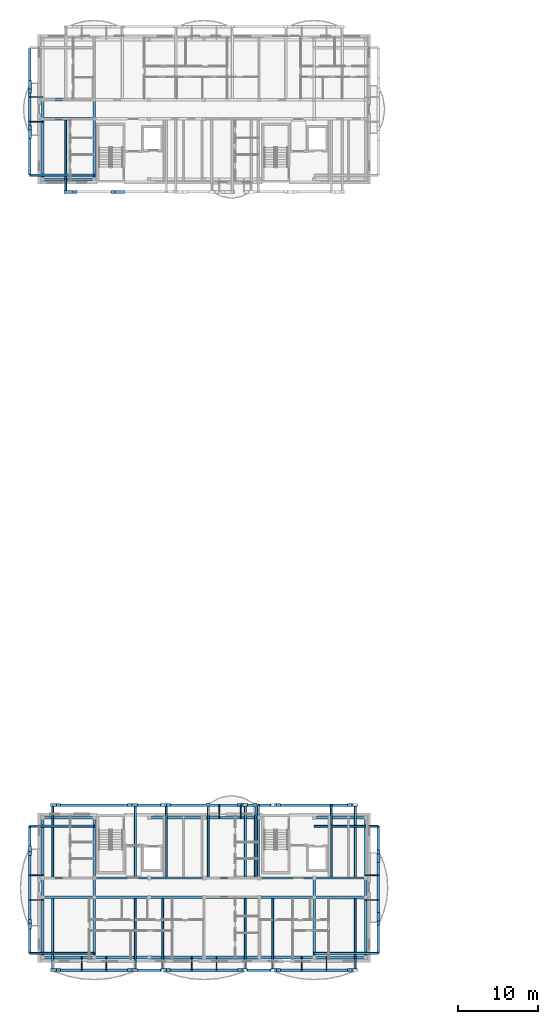
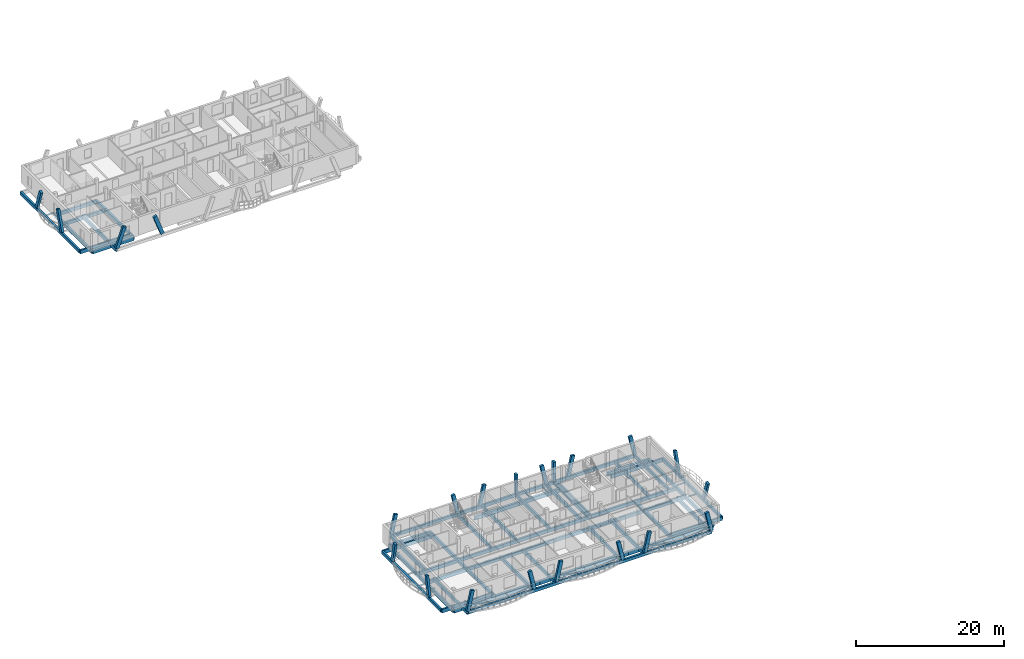
# One storey, part 3 of 21: 80 beams, 22 members.
"""IFC4 building model written with IfcOpenShell, lengths in metres."""

import ifcopenshell
import ifcopenshell.guid

model = None  # the IFC model being written
_history = None  # IfcOwnerHistory: only IFC2X3 demands one
_inside = {}  # id of a spatial element -> (the spatial element, [elements in it])
_under = {}  # id of a project, library or spatial element -> (it, [spatial elements below it])
_declared = {}  # id of a project -> (the project, [libraries it declares])
_typed = {}  # id of a type object -> (the type object, [elements of that type])
_made_of = {}  # id of a material, layer set ... -> (it, [elements and type objects made of it])


def new_model(schema):
    """Start an empty IFC model of exactly this schema.

    Asked for "IFC4X3", IfcOpenShell would pick the latest addendum, in which some entities
    have other attributes; the version numbers below select the first issue.
    IFC2X3 requires an IfcOwnerHistory on every rooted entity: one is made here for all.
    """
    global model, _history
    if schema == "IFC4X3":
        model = ifcopenshell.file(schema_version=(4, 3, 0, 0))
    else:
        model = ifcopenshell.file(schema=schema)
    _inside.clear()
    _under.clear()
    _declared.clear()
    _typed.clear()
    _made_of.clear()
    _history = None
    if model.schema == "IFC2X3":
        org = make("IfcOrganization", Name="unknown")
        user = make(
            "IfcPersonAndOrganization",
            ThePerson=make("IfcPerson", FamilyName="unknown"),
            TheOrganization=org,
        )
        app = make(
            "IfcApplication",
            ApplicationDeveloper=org,
            Version="unknown",
            ApplicationFullName="unknown",
            ApplicationIdentifier="unknown",
        )
        _history = make(
            "IfcOwnerHistory",
            OwningUser=user,
            OwningApplication=app,
            ChangeAction="ADDED",
            CreationDate=0,
        )
    return model


def make(cls, **values):
    """One entity of the class cls with the attributes given. An attribute that is None is left unset."""
    return model.create_entity(
        cls, **{name: value for name, value in values.items() if value is not None}
    )


def rooted(cls, **values):
    """An entity with a GlobalId (a new one), such as an element, a storey or a relation."""
    return make(cls, GlobalId=ifcopenshell.guid.new(), OwnerHistory=_history, **values)


def si_unit(unit_type, name, prefix=None):
    """IfcSIUnit, for example si_unit("LENGTHUNIT", "METRE", prefix="MILLI")."""
    return make("IfcSIUnit", UnitType=unit_type, Prefix=prefix, Name=name)


def assignment(units):
    """IfcUnitAssignment: the units of a project."""
    return None if units is None else make("IfcUnitAssignment", Units=units)


def point(xyz):
    """IfcCartesianPoint."""
    return None if xyz is None else make("IfcCartesianPoint", Coordinates=xyz)


def direction(xyz):
    """IfcDirection."""
    return None if xyz is None else make("IfcDirection", DirectionRatios=xyz)


def frame(location, z_axis=None, x_axis=None):
    """IfcAxis2Placement3D, a coordinate frame: its origin and axes. An axis left out is left unset."""
    return make(
        "IfcAxis2Placement3D",
        Location=point(location),
        Axis=direction(z_axis),
        RefDirection=direction(x_axis),
    )


def frame_2d(location, x_axis=None):
    """IfcAxis2Placement2D, a coordinate frame in the plane: its origin and x axis."""
    return make(
        "IfcAxis2Placement2D", Location=point(location), RefDirection=direction(x_axis)
    )


def origin():
    """The frame at (0, 0, 0) with its axes left unset."""
    return frame((0.0, 0.0, 0.0))


def origin_2d():
    """The frame at (0, 0) in the plane with its x axis left unset."""
    return frame_2d((0.0, 0.0))


def place(relative_to, where):
    """IfcLocalPlacement: puts the frame where relative to a parent placement (None: the world)."""
    return make(
        "IfcLocalPlacement", PlacementRelTo=relative_to, RelativePlacement=where
    )


def context(
    kind, dimensions, precision=None, world=None, true_north=None, identifier=None
):
    """IfcGeometricRepresentationContext, for example the 3D "Model" context."""
    return make(
        "IfcGeometricRepresentationContext",
        ContextIdentifier=identifier,
        ContextType=kind,
        CoordinateSpaceDimension=dimensions,
        Precision=precision,
        WorldCoordinateSystem=world,
        TrueNorth=true_north,
    )


def subcontext(parent, identifier, kind, view, scale=None):
    """IfcGeometricRepresentationSubContext, for example "Body" below "Model"."""
    return make(
        "IfcGeometricRepresentationSubContext",
        ContextIdentifier=identifier,
        ContextType=kind,
        ParentContext=parent,
        TargetScale=scale,
        TargetView=view,
    )


def project(units=None, contexts=None):
    """IfcProject with its units and contexts."""
    return rooted(
        "IfcProject",
        Name="project",
        RepresentationContexts=contexts,
        UnitsInContext=assignment(units),
    )


def spatial(cls, under=None, at=None, **own):
    """A site, building, storey or space (cls), placed at a placement, below another one or the project."""
    s = rooted(cls, ObjectPlacement=at, **own)
    if under is not None:
        _under.setdefault(under.id(), (under, []))[1].append(s)
    return s


def profile(cls, at=None, kind="AREA", **sizes):
    """A parametric profile (cls). Its sizes go by their IFC names, for example OverallWidth=200.0."""
    return make(cls, ProfileType=kind, Position=at, **sizes)


def rectangle(**sizes):
    """IfcRectangleProfileDef."""
    return profile("IfcRectangleProfileDef", **sizes)


def i_section(**sizes):
    """IfcIShapeProfileDef."""
    return profile("IfcIShapeProfileDef", **sizes)


def extrude(swept, where, along, depth):
    """IfcExtrudedAreaSolid: the profile swept, set in the frame where, extruded along a direction by depth."""
    return make(
        "IfcExtrudedAreaSolid",
        SweptArea=swept,
        Position=where,
        ExtrudedDirection=direction(along),
        Depth=depth,
    )


def shape(context_of_items, identifier, shape_type, items):
    """IfcShapeRepresentation: the items that make up one representation, for example the "Body"."""
    return make(
        "IfcShapeRepresentation",
        ContextOfItems=context_of_items,
        RepresentationIdentifier=identifier,
        RepresentationType=shape_type,
        Items=items,
    )


def material(Name=None, Category=None):
    """IfcMaterial."""
    return make("IfcMaterial", Name=Name, Category=Category)


def material_profile(
    of_material, cross_section, Name=None, Category=None, Priority=None
):
    """IfcMaterialProfile: a cross section and its material."""
    return make(
        "IfcMaterialProfile",
        Name=Name,
        Material=of_material,
        Profile=cross_section,
        Priority=Priority,
        Category=Category,
    )


def profile_set(profiles, Name=None, composite=None):
    """IfcMaterialProfileSet."""
    return make(
        "IfcMaterialProfileSet",
        Name=Name,
        MaterialProfiles=profiles,
        CompositeProfile=composite,
    )


def made_of(thing, what):
    """Note that an element or type object is made of a material, layer set ...; save() writes the relation."""
    if what is not None:
        _made_of.setdefault(what.id(), (what, []))[1].append(thing)
    return thing


def type_object(cls, material=None, **own):
    """A type object (cls), such as IfcWallType, which elements share."""
    return made_of(rooted(cls, **own), material)


def element(
    cls,
    number,
    at=None,
    inside=None,
    cuts=None,
    type_object=None,
    material=None,
    context=None,
    identifier="Body",
    shape_type=None,
    held_by="IfcProductDefinitionShape",
    body=None,
    shapes=None,
    **own,
):
    """One element of the class cls, such as IfcWall. Its Tag is "e" and its number.

    at: its placement. inside: the storey or other place that contains it. cuts: it is an
    opening in that element (IfcRelVoidsElement). A single representation is given by context,
    identifier, shape_type and body (its items); several are given by shapes. held_by: the class
    of the entity that holds the representations. save() writes the other relations.
    """
    e = rooted(cls, Tag="e%d" % number, ObjectPlacement=at, **own)
    if body is not None:
        shapes = [shape(context, identifier, shape_type, body)]
    if shapes is not None:
        e.Representation = make(held_by, Representations=shapes)
    if inside is not None:
        _inside.setdefault(inside.id(), (inside, []))[1].append(e)
    if cuts is not None:
        rooted(
            "IfcRelVoidsElement", RelatingBuildingElement=cuts, RelatedOpeningElement=e
        )
    if type_object is not None:
        _typed.setdefault(type_object.id(), (type_object, []))[1].append(e)
    return made_of(e, material)


def aggregate(whole, parts):
    """IfcRelAggregates: a whole, such as a stair, and the parts it consists of."""
    return rooted("IfcRelAggregates", RelatingObject=whole, RelatedObjects=parts)


def save(model, path):
    """Write the relations noted so far, then the file.

    IfcRelAggregates (storeys below a building ...), IfcRelContainedInSpatialStructure (elements
    in a storey), IfcRelDefinesByType, IfcRelAssociatesMaterial and IfcRelDeclares: one each for
    every whole, place, type object, material and project.
    """
    for whole, parts in _under.values():
        aggregate(whole, parts)
    for where, things in _inside.values():
        rooted(
            "IfcRelContainedInSpatialStructure",
            RelatedElements=things,
            RelatingStructure=where,
        )
    for kind, things in _typed.values():
        rooted("IfcRelDefinesByType", RelatedObjects=things, RelatingType=kind)
    for what, things in _made_of.values():
        rooted("IfcRelAssociatesMaterial", RelatedObjects=things, RelatingMaterial=what)
    for by, libraries in _declared.values():
        rooted("IfcRelDeclares", RelatingContext=by, RelatedDefinitions=libraries)
    model.write(path)


model = new_model("IFC4")

# Units and contexts
model_context = context("Model", 3, precision=1e-05, world=origin(), true_north=direction((0.0, 1.0)))
body_context = subcontext(model_context, "Body", "Model", "MODEL_VIEW")
ifc_project = project(units=[si_unit("LENGTHUNIT", "METRE"), si_unit("AREAUNIT", "SQUARE_METRE"), si_unit("VOLUMEUNIT", "CUBIC_METRE"), si_unit("PLANEANGLEUNIT", "RADIAN"), si_unit("MASSUNIT", "GRAM", prefix="KILO")], contexts=[model_context])

# Site, building, storey
site_placement = place(None, origin())
site = spatial("IfcSite", under=ifc_project, at=site_placement, CompositionType="ELEMENT")
building_placement = place(site_placement, origin())
building = spatial("IfcBuilding", under=site, at=building_placement, Name="Zavelmont Quarter", CompositionType="ELEMENT")
storey_placement = place(building_placement, frame((0.0, 0.0, 36.800048828125)))
storey = spatial("IfcBuildingStorey", under=building, at=storey_placement, Name="L11", CompositionType="ELEMENT", Elevation=36.800048828125)

# Beams
ifc_material_1 = material(Name="Concrete C35/45", Category="concrete")
ifc_material_profile_1 = material_profile(ifc_material_1, rectangle(XDim=0.35009765625, YDim=0.60009765625, at=origin_2d()), Name="RC350X600")
ifc_profile_set_1 = profile_set([ifc_material_profile_1], Name="Concrete C35/45")
beam_type_1 = type_object("IfcBeamType", Name="BM01", PredefinedType="SPANDREL", material=ifc_profile_set_1)
beam_1_placement = place(storey_placement, frame((0.43994140625, 0.43994140625, -0.5400390625), z_axis=(1.0, 0.0, 0.0), x_axis=(0.0, 1.0, 0.0)))
element("IfcBeam", 1, at=beam_1_placement, inside=storey, type_object=beam_type_1, Name="L11 beam BM01 1/A to 2/A", PredefinedType="SPANDREL", context=body_context, shape_type="SweptSolid", body=[
    extrude(rectangle(XDim=0.35009765625, YDim=0.60009765625, at=origin_2d()), origin(), (0.0, 0.0, 1.0), 6.4599609375),
])
beam_2_placement = place(storey_placement, frame((6.89990234375, 0.43994140625, -0.5400390625), z_axis=(1.0, 0.0, 0.0), x_axis=(0.0, 1.0, 0.0)))
element("IfcBeam", 2, at=beam_2_placement, inside=storey, type_object=beam_type_1, Name="L11 beam BM01 2/A to 3/A", PredefinedType="SPANDREL", context=body_context, shape_type="SweptSolid", body=[
    extrude(rectangle(XDim=0.35009765625, YDim=0.60009765625, at=origin_2d()), origin(), (0.0, 0.0, 1.0), 6.900146484375),
])
beam_3_placement = place(storey_placement, frame((13.800048828125, 0.43994140625, -0.5400390625), z_axis=(1.0, 0.0, 0.0), x_axis=(0.0, 1.0, 0.0)))
element("IfcBeam", 3, at=beam_3_placement, inside=storey, type_object=beam_type_1, Name="L11 beam BM01 3/A to 4/A", PredefinedType="SPANDREL", context=body_context, shape_type="SweptSolid", body=[
    extrude(rectangle(XDim=0.35009765625, YDim=0.60009765625, at=origin_2d()), origin(), (0.0, 0.0, 1.0), 6.89990234375),
])
beam_4_placement = place(storey_placement, frame((20.699951171875, 0.43994140625, -0.5400390625), z_axis=(1.0, 0.0, 0.0), x_axis=(0.0, 1.0, 0.0)))
element("IfcBeam", 4, at=beam_4_placement, inside=storey, type_object=beam_type_1, Name="L11 beam BM01 4/A to 5/A", PredefinedType="SPANDREL", context=body_context, shape_type="SweptSolid", body=[
    extrude(rectangle(XDim=0.35009765625, YDim=0.60009765625, at=origin_2d()), origin(), (0.0, 0.0, 1.0), 6.900146484375),
])
beam_5_placement = place(storey_placement, frame((27.60009765625, 0.43994140625, -0.5400390625), z_axis=(1.0, 0.0, 0.0), x_axis=(0.0, 1.0, 0.0)))
element("IfcBeam", 5, at=beam_5_placement, inside=storey, type_object=beam_type_1, Name="L11 beam BM01 5/A to 6/A", PredefinedType="SPANDREL", context=body_context, shape_type="SweptSolid", body=[
    extrude(rectangle(XDim=0.35009765625, YDim=0.60009765625, at=origin_2d()), origin(), (0.0, 0.0, 1.0), 6.89990234375),
])
for number, where, z_axis, x_axis, name in (
    (6, (34.5, 0.43994140625, -0.5400390625), (1.0, 0.0, 0.0), (0.0, 1.0, 0.0), "L11 beam BM01 6/A to 7/A"),
    (7, (0.43994140625, 17.9599609375, -0.5400390625), (1.0, 0.0, 0.0), (0.0, 1.0, 0.0), "L11 beam BM01 1/D to 2/D"),
):
    element("IfcBeam", number, at=place(storey_placement, frame(where, z_axis=z_axis, x_axis=x_axis)), inside=storey, type_object=beam_type_1, Name=name, PredefinedType="SPANDREL", context=body_context, shape_type="SweptSolid", body=[
        extrude(rectangle(XDim=0.35009765625, YDim=0.60009765625, at=origin_2d()), origin(), (0.0, 0.0, 1.0), 6.4599609375),
    ])
beam_6_placement = place(storey_placement, frame((13.800048828125, 17.9599609375, -0.5400390625), z_axis=(1.0, 0.0, 0.0), x_axis=(0.0, 1.0, 0.0)))
element("IfcBeam", 8, at=beam_6_placement, inside=storey, type_object=beam_type_1, Name="L11 beam BM01 3/D to 4/D", PredefinedType="SPANDREL", context=body_context, shape_type="SweptSolid", body=[
    extrude(rectangle(XDim=0.35009765625, YDim=0.60009765625, at=origin_2d()), origin(), (0.0, 0.0, 1.0), 6.89990234375),
])
beam_7_placement = place(storey_placement, frame((20.699951171875, 17.9599609375, -0.5400390625), z_axis=(1.0, 0.0, 0.0), x_axis=(0.0, 1.0, 0.0)))
element("IfcBeam", 9, at=beam_7_placement, inside=storey, type_object=beam_type_1, Name="L11 beam BM01 4/D to 5/D", PredefinedType="SPANDREL", context=body_context, shape_type="SweptSolid", body=[
    extrude(rectangle(XDim=0.35009765625, YDim=0.60009765625, at=origin_2d()), origin(), (0.0, 0.0, 1.0), 6.900146484375),
])
for number, where, z_axis, x_axis, name in (
    (10, (34.5, 17.9599609375, -0.5400390625), (1.0, 0.0, 0.0), (0.0, 1.0, 0.0), "L11 beam BM01 6/D to 7/D"),
    (11, (0.43994140625, 98.0400390625, -0.5400390625), (1.0, 0.0, 0.0), (0.0, 1.0, 0.0), "L11 beam BM01 1/P to 2/P"),
):
    element("IfcBeam", number, at=place(storey_placement, frame(where, z_axis=z_axis, x_axis=x_axis)), inside=storey, type_object=beam_type_1, Name=name, PredefinedType="SPANDREL", context=body_context, shape_type="SweptSolid", body=[
        extrude(rectangle(XDim=0.35009765625, YDim=0.60009765625, at=origin_2d()), origin(), (0.0, 0.0, 1.0), 6.4599609375),
    ])
ifc_material_profile_2 = material_profile(ifc_material_1, rectangle(XDim=0.300048828125, YDim=0.550048828125, at=origin_2d()), Name="RC300X550")
ifc_profile_set_2 = profile_set([ifc_material_profile_2], Name="Concrete C35/45")
beam_type_2 = type_object("IfcBeamType", Name="BM02", PredefinedType="SPANDREL", material=ifc_profile_set_2)
beam_8_placement = place(storey_placement, frame((0.43994140625, 8.0, -0.51513671875), z_axis=(1.0, 0.0, 0.0), x_axis=(0.0, 1.0, 0.0)))
element("IfcBeam", 12, at=beam_8_placement, inside=storey, type_object=beam_type_2, Name="L11 beam BM02 1/B to 2/B", PredefinedType="SPANDREL", context=body_context, shape_type="SweptSolid", body=[
    extrude(rectangle(XDim=0.300048828125, YDim=0.550048828125, at=origin_2d()), origin(), (0.0, 0.0, 1.0), 6.4599609375),
])
beam_9_placement = place(storey_placement, frame((6.89990234375, 8.0, -0.51513671875), z_axis=(1.0, 0.0, 0.0), x_axis=(0.0, 1.0, 0.0)))
element("IfcBeam", 13, at=beam_9_placement, inside=storey, type_object=beam_type_2, Name="L11 beam BM02 2/B to 3/B", PredefinedType="SPANDREL", context=body_context, shape_type="SweptSolid", body=[
    extrude(rectangle(XDim=0.300048828125, YDim=0.550048828125, at=origin_2d()), origin(), (0.0, 0.0, 1.0), 6.900146484375),
])
beam_10_placement = place(storey_placement, frame((13.800048828125, 8.0, -0.51513671875), z_axis=(1.0, 0.0, 0.0), x_axis=(0.0, 1.0, 0.0)))
element("IfcBeam", 14, at=beam_10_placement, inside=storey, type_object=beam_type_2, Name="L11 beam BM02 3/B to 4/B", PredefinedType="SPANDREL", context=body_context, shape_type="SweptSolid", body=[
    extrude(rectangle(XDim=0.300048828125, YDim=0.550048828125, at=origin_2d()), origin(), (0.0, 0.0, 1.0), 6.89990234375),
])
beam_11_placement = place(storey_placement, frame((20.699951171875, 8.0, -0.51513671875), z_axis=(1.0, 0.0, 0.0), x_axis=(0.0, 1.0, 0.0)))
element("IfcBeam", 15, at=beam_11_placement, inside=storey, type_object=beam_type_2, Name="L11 beam BM02 4/B to 5/B", PredefinedType="SPANDREL", context=body_context, shape_type="SweptSolid", body=[
    extrude(rectangle(XDim=0.300048828125, YDim=0.550048828125, at=origin_2d()), origin(), (0.0, 0.0, 1.0), 6.900146484375),
])
beam_12_placement = place(storey_placement, frame((27.60009765625, 8.0, -0.51513671875), z_axis=(1.0, 0.0, 0.0), x_axis=(0.0, 1.0, 0.0)))
element("IfcBeam", 16, at=beam_12_placement, inside=storey, type_object=beam_type_2, Name="L11 beam BM02 5/B to 6/B", PredefinedType="SPANDREL", context=body_context, shape_type="SweptSolid", body=[
    extrude(rectangle(XDim=0.300048828125, YDim=0.550048828125, at=origin_2d()), origin(), (0.0, 0.0, 1.0), 6.89990234375),
])
for number, where, z_axis, x_axis, name in (
    (17, (34.5, 8.0, -0.51513671875), (1.0, 0.0, 0.0), (0.0, 1.0, 0.0), "L11 beam BM02 6/B to 7/B"),
    (18, (0.43994140625, 10.39990234375, -0.51513671875), (1.0, 0.0, 0.0), (0.0, 1.0, 0.0), "L11 beam BM02 1/C to 2/C"),
):
    element("IfcBeam", number, at=place(storey_placement, frame(where, z_axis=z_axis, x_axis=x_axis)), inside=storey, type_object=beam_type_2, Name=name, PredefinedType="SPANDREL", context=body_context, shape_type="SweptSolid", body=[
        extrude(rectangle(XDim=0.300048828125, YDim=0.550048828125, at=origin_2d()), origin(), (0.0, 0.0, 1.0), 6.4599609375),
    ])
beam_13_placement = place(storey_placement, frame((6.89990234375, 10.39990234375, -0.51513671875), z_axis=(1.0, 0.0, 0.0), x_axis=(0.0, 1.0, 0.0)))
element("IfcBeam", 19, at=beam_13_placement, inside=storey, type_object=beam_type_2, Name="L11 beam BM02 2/C to 3/C", PredefinedType="SPANDREL", context=body_context, shape_type="SweptSolid", body=[
    extrude(rectangle(XDim=0.300048828125, YDim=0.550048828125, at=origin_2d()), origin(), (0.0, 0.0, 1.0), 6.900146484375),
])
beam_14_placement = place(storey_placement, frame((13.800048828125, 10.39990234375, -0.51513671875), z_axis=(1.0, 0.0, 0.0), x_axis=(0.0, 1.0, 0.0)))
element("IfcBeam", 20, at=beam_14_placement, inside=storey, type_object=beam_type_2, Name="L11 beam BM02 3/C to 4/C", PredefinedType="SPANDREL", context=body_context, shape_type="SweptSolid", body=[
    extrude(rectangle(XDim=0.300048828125, YDim=0.550048828125, at=origin_2d()), origin(), (0.0, 0.0, 1.0), 6.89990234375),
])
beam_15_placement = place(storey_placement, frame((20.699951171875, 10.39990234375, -0.51513671875), z_axis=(1.0, 0.0, 0.0), x_axis=(0.0, 1.0, 0.0)))
element("IfcBeam", 21, at=beam_15_placement, inside=storey, type_object=beam_type_2, Name="L11 beam BM02 4/C to 5/C", PredefinedType="SPANDREL", context=body_context, shape_type="SweptSolid", body=[
    extrude(rectangle(XDim=0.300048828125, YDim=0.550048828125, at=origin_2d()), origin(), (0.0, 0.0, 1.0), 6.900146484375),
])
beam_16_placement = place(storey_placement, frame((27.60009765625, 10.39990234375, -0.51513671875), z_axis=(1.0, 0.0, 0.0), x_axis=(0.0, 1.0, 0.0)))
element("IfcBeam", 22, at=beam_16_placement, inside=storey, type_object=beam_type_2, Name="L11 beam BM02 5/C to 6/C", PredefinedType="SPANDREL", context=body_context, shape_type="SweptSolid", body=[
    extrude(rectangle(XDim=0.300048828125, YDim=0.550048828125, at=origin_2d()), origin(), (0.0, 0.0, 1.0), 6.89990234375),
])
beam_17_placement = place(storey_placement, frame((34.5, 10.39990234375, -0.51513671875), z_axis=(1.0, 0.0, 0.0), x_axis=(0.0, 1.0, 0.0)))
element("IfcBeam", 23, at=beam_17_placement, inside=storey, type_object=beam_type_2, Name="L11 beam BM02 6/C to 7/C", PredefinedType="SPANDREL", context=body_context, shape_type="SweptSolid", body=[
    extrude(rectangle(XDim=0.300048828125, YDim=0.550048828125, at=origin_2d()), origin(), (0.0, 0.0, 1.0), 6.4599609375),
])
beam_18_placement = place(storey_placement, frame((0.43994140625, 0.43994140625, -0.51513671875), z_axis=(0.0, 1.0, 0.0), x_axis=(-1.0, 0.0, 0.0)))
element("IfcBeam", 24, at=beam_18_placement, inside=storey, type_object=beam_type_2, Name="L11 beam BM02 1/A to 1/B", PredefinedType="SPANDREL", context=body_context, shape_type="SweptSolid", body=[
    extrude(rectangle(XDim=0.300048828125, YDim=0.550048828125, at=origin_2d()), origin(), (0.0, 0.0, 1.0), 7.56005859375),
])
beam_19_placement = place(storey_placement, frame((0.43994140625, 8.0, -0.51513671875), z_axis=(0.0, 1.0, 0.0), x_axis=(-1.0, 0.0, 0.0)))
element("IfcBeam", 25, at=beam_19_placement, inside=storey, type_object=beam_type_2, Name="L11 beam BM02 1/B to 1/C", PredefinedType="SPANDREL", context=body_context, shape_type="SweptSolid", body=[
    extrude(rectangle(XDim=0.300048828125, YDim=0.550048828125, at=origin_2d()), origin(), (0.0, 0.0, 1.0), 2.39990234375),
])
for number, where, z_axis, x_axis, name in (
    (26, (0.43994140625, 10.39990234375, -0.51513671875), (0.0, 1.0, 0.0), (-1.0, 0.0, 0.0), "L11 beam BM02 1/C to 1/D"),
    (27, (6.89990234375, 0.43994140625, -0.51513671875), (0.0, 1.0, 0.0), (-1.0, 0.0, 0.0), "L11 beam BM02 2/A to 2/B"),
):
    element("IfcBeam", number, at=place(storey_placement, frame(where, z_axis=z_axis, x_axis=x_axis)), inside=storey, type_object=beam_type_2, Name=name, PredefinedType="SPANDREL", context=body_context, shape_type="SweptSolid", body=[
        extrude(rectangle(XDim=0.300048828125, YDim=0.550048828125, at=origin_2d()), origin(), (0.0, 0.0, 1.0), 7.56005859375),
    ])
beam_20_placement = place(storey_placement, frame((6.89990234375, 8.0, -0.51513671875), z_axis=(0.0, 1.0, 0.0), x_axis=(-1.0, 0.0, 0.0)))
element("IfcBeam", 28, at=beam_20_placement, inside=storey, type_object=beam_type_2, Name="L11 beam BM02 2/B to 2/C", PredefinedType="SPANDREL", context=body_context, shape_type="SweptSolid", body=[
    extrude(rectangle(XDim=0.300048828125, YDim=0.550048828125, at=origin_2d()), origin(), (0.0, 0.0, 1.0), 2.39990234375),
])
for number, where, z_axis, x_axis, name in (
    (29, (6.89990234375, 10.39990234375, -0.51513671875), (0.0, 1.0, 0.0), (-1.0, 0.0, 0.0), "L11 beam BM02 2/C to 2/D"),
    (30, (34.5, 0.43994140625, -0.51513671875), (0.0, 1.0, 0.0), (-1.0, 0.0, 0.0), "L11 beam BM02 6/A to 6/B"),
):
    element("IfcBeam", number, at=place(storey_placement, frame(where, z_axis=z_axis, x_axis=x_axis)), inside=storey, type_object=beam_type_2, Name=name, PredefinedType="SPANDREL", context=body_context, shape_type="SweptSolid", body=[
        extrude(rectangle(XDim=0.300048828125, YDim=0.550048828125, at=origin_2d()), origin(), (0.0, 0.0, 1.0), 7.56005859375),
    ])
beam_21_placement = place(storey_placement, frame((34.5, 8.0, -0.51513671875), z_axis=(0.0, 1.0, 0.0), x_axis=(-1.0, 0.0, 0.0)))
element("IfcBeam", 31, at=beam_21_placement, inside=storey, type_object=beam_type_2, Name="L11 beam BM02 6/B to 6/C", PredefinedType="SPANDREL", context=body_context, shape_type="SweptSolid", body=[
    extrude(rectangle(XDim=0.300048828125, YDim=0.550048828125, at=origin_2d()), origin(), (0.0, 0.0, 1.0), 2.39990234375),
])
beam_22_placement = place(storey_placement, frame((40.9599609375, 0.43994140625, -0.51513671875), z_axis=(0.0, 1.0, 0.0), x_axis=(-1.0, 0.0, 0.0)))
element("IfcBeam", 32, at=beam_22_placement, inside=storey, type_object=beam_type_2, Name="L11 beam BM02 7/A to 7/B", PredefinedType="SPANDREL", context=body_context, shape_type="SweptSolid", body=[
    extrude(rectangle(XDim=0.300048828125, YDim=0.550048828125, at=origin_2d()), origin(), (0.0, 0.0, 1.0), 7.56005859375),
])
beam_23_placement = place(storey_placement, frame((40.9599609375, 8.0, -0.51513671875), z_axis=(0.0, 1.0, 0.0), x_axis=(-1.0, 0.0, 0.0)))
element("IfcBeam", 33, at=beam_23_placement, inside=storey, type_object=beam_type_2, Name="L11 beam BM02 7/B to 7/C", PredefinedType="SPANDREL", context=body_context, shape_type="SweptSolid", body=[
    extrude(rectangle(XDim=0.300048828125, YDim=0.550048828125, at=origin_2d()), origin(), (0.0, 0.0, 1.0), 2.39990234375),
])
beam_24_placement = place(storey_placement, frame((40.9599609375, 10.39990234375, -0.51513671875), z_axis=(0.0, 1.0, 0.0), x_axis=(-1.0, 0.0, 0.0)))
element("IfcBeam", 34, at=beam_24_placement, inside=storey, type_object=beam_type_2, Name="L11 beam BM02 7/C to 7/D", PredefinedType="SPANDREL", context=body_context, shape_type="SweptSolid", body=[
    extrude(rectangle(XDim=0.300048828125, YDim=0.550048828125, at=origin_2d()), origin(), (0.0, 0.0, 1.0), 7.56005859375),
])
for number, where, z_axis, x_axis, name in (
    (35, (0.43994140625, 105.60009765625, -0.51513671875), (1.0, 0.0, 0.0), (0.0, 1.0, 0.0), "L11 beam BM02 1/Q to 2/Q"),
    (36, (0.43994140625, 108.0, -0.51513671875), (1.0, 0.0, 0.0), (0.0, 1.0, 0.0), "L11 beam BM02 1/R to 2/R"),
):
    element("IfcBeam", number, at=place(storey_placement, frame(where, z_axis=z_axis, x_axis=x_axis)), inside=storey, type_object=beam_type_2, Name=name, PredefinedType="SPANDREL", context=body_context, shape_type="SweptSolid", body=[
        extrude(rectangle(XDim=0.300048828125, YDim=0.550048828125, at=origin_2d()), origin(), (0.0, 0.0, 1.0), 6.4599609375),
    ])
beam_25_placement = place(storey_placement, frame((0.43994140625, 98.0400390625, -0.51513671875), z_axis=(0.0, 1.0, 0.0), x_axis=(-1.0, 0.0, 0.0)))
element("IfcBeam", 37, at=beam_25_placement, inside=storey, type_object=beam_type_2, Name="L11 beam BM02 1/P to 1/Q", PredefinedType="SPANDREL", context=body_context, shape_type="SweptSolid", body=[
    extrude(rectangle(XDim=0.300048828125, YDim=0.550048828125, at=origin_2d()), origin(), (0.0, 0.0, 1.0), 7.56005859375),
])
beam_26_placement = place(storey_placement, frame((0.43994140625, 105.60009765625, -0.51513671875), z_axis=(0.0, 1.0, 0.0), x_axis=(-1.0, 0.0, 0.0)))
element("IfcBeam", 38, at=beam_26_placement, inside=storey, type_object=beam_type_2, Name="L11 beam BM02 1/Q to 1/R", PredefinedType="SPANDREL", context=body_context, shape_type="SweptSolid", body=[
    extrude(rectangle(XDim=0.300048828125, YDim=0.550048828125, at=origin_2d()), origin(), (0.0, 0.0, 1.0), 2.39990234375),
])
beam_27_placement = place(storey_placement, frame((6.89990234375, 98.0400390625, -0.51513671875), z_axis=(0.0, 1.0, 0.0), x_axis=(-1.0, 0.0, 0.0)))
element("IfcBeam", 39, at=beam_27_placement, inside=storey, type_object=beam_type_2, Name="L11 beam BM02 2/P to 2/Q", PredefinedType="SPANDREL", context=body_context, shape_type="SweptSolid", body=[
    extrude(rectangle(XDim=0.300048828125, YDim=0.550048828125, at=origin_2d()), origin(), (0.0, 0.0, 1.0), 7.56005859375),
])
beam_28_placement = place(storey_placement, frame((6.89990234375, 105.60009765625, -0.51513671875), z_axis=(0.0, 1.0, 0.0), x_axis=(-1.0, 0.0, 0.0)))
element("IfcBeam", 40, at=beam_28_placement, inside=storey, type_object=beam_type_2, Name="L11 beam BM02 2/Q to 2/R", PredefinedType="SPANDREL", context=body_context, shape_type="SweptSolid", body=[
    extrude(rectangle(XDim=0.300048828125, YDim=0.550048828125, at=origin_2d()), origin(), (0.0, 0.0, 1.0), 2.39990234375),
])
ifc_material_profile_3 = material_profile(ifc_material_1, rectangle(XDim=0.300048828125, YDim=0.5, at=origin_2d()), Name="RC300X500")
ifc_profile_set_3 = profile_set([ifc_material_profile_3], Name="Concrete C35/45")
beam_type_3 = type_object("IfcBeamType", Name="BM03", PredefinedType="BEAM", material=ifc_profile_set_3)
for number, where, z_axis, x_axis, name in (
    (41, (1.716064453125, -1.14990234375, -0.25), (1.0, 0.0, 0.0), (0.0, 1.0, 0.0), "L11 beam BM03 1/A to 7/A"),
    (42, (1.716064453125, 19.550048828125, -0.25), (1.0, 0.0, 0.0), (0.0, 1.0, 0.0), "L11 beam BM03 1/D to 7/D"),
):
    element("IfcBeam", number, at=place(storey_placement, frame(where, z_axis=z_axis, x_axis=x_axis)), inside=storey, type_object=beam_type_3, Name=name, PredefinedType="BEAM", context=body_context, shape_type="SweptSolid", body=[
        extrude(rectangle(XDim=0.300048828125, YDim=0.5, at=origin_2d()), origin(), (0.0, 0.0, 1.0), 37.968017578125),
    ])
for number, where, z_axis, x_axis, name in (
    (43, (-1.14990234375, 0.949951171875, -0.25), (0.0, 1.0, 0.0), (-1.0, 0.0, 0.0), "L11 beam BM03 1/A to 1/D"),
    (44, (42.550048828125, 0.949951171875, -0.25), (0.0, 1.0, 0.0), (-1.0, 0.0, 0.0), "L11 beam BM03 7/A to 7/D"),
    (45, (-1.14990234375, 98.550048828125, -0.25), (0.0, 1.0, 0.0), (-1.0, 0.0, 0.0), "L11 beam BM03 1/P to 1/S"),
):
    element("IfcBeam", number, at=place(storey_placement, frame(where, z_axis=z_axis, x_axis=x_axis)), inside=storey, type_object=beam_type_3, Name=name, PredefinedType="BEAM", context=body_context, shape_type="SweptSolid", body=[
        extrude(rectangle(XDim=0.300048828125, YDim=0.5, at=origin_2d()), origin(), (0.0, 0.0, 1.0), 15.949951171875),
    ])
ifc_material_2 = material(Name="Steel S355", Category="steel")
ifc_material_profile_4 = material_profile(ifc_material_2, i_section(OverallWidth=0.110107421875, OverallDepth=0.219970703125, WebThickness=0.005859375, FlangeThickness=0.00927734375, at=origin_2d()), Name="IPE 220")
ifc_profile_set_4 = profile_set([ifc_material_profile_4], Name="Steel S355")
beam_type_4 = type_object("IfcBeamType", Name="BM15", PredefinedType="JOIST", material=ifc_profile_set_4)
for number, where, z_axis, x_axis, name in (
    (46, (5.35009765625, 0.43994140625, -0.366943359375), (0.0, -1.0, 0.0), (1.0, 0.0, 0.0), "L11 beam BM15 2/A to 2/A"),
    (47, (8.449951171875, 0.43994140625, -0.366943359375), (0.0, -1.0, 0.0), (1.0, 0.0, 0.0), "L11 beam BM15 2/A to 2/A"),
    (48, (19.14990234375, 0.43994140625, -0.35693359375), (0.0, -1.0, 0.0), (1.0, 0.0, 0.0), "L11 beam BM15 4/A to 4/A"),
    (49, (22.25, 0.43994140625, -0.35693359375), (0.0, -1.0, 0.0), (1.0, 0.0, 0.0), "L11 beam BM15 4/A to 4/A"),
    (50, (32.949951171875, 0.43994140625, -0.35205078125), (0.0, -1.0, 0.0), (1.0, 0.0, 0.0), "L11 beam BM15 6/A to 6/A"),
    (51, (36.050048828125, 0.43994140625, -0.35205078125), (0.0, -1.0, 0.0), (1.0, 0.0, 0.0), "L11 beam BM15 6/A to 6/A"),
    (52, (0.43994140625, 7.64990234375, -0.35693359375), (-1.0, 0.0, 0.0), (0.0, -1.0, 0.0), "L11 beam BM15 1/B to 1/B"),
    (53, (0.43994140625, 10.75, -0.35693359375), (-1.0, 0.0, 0.0), (0.0, -1.0, 0.0), "L11 beam BM15 1/C to 1/C"),
):
    element("IfcBeam", number, at=place(storey_placement, frame(where, z_axis=z_axis, x_axis=x_axis)), inside=storey, type_object=beam_type_4, Name=name, PredefinedType="JOIST", context=body_context, shape_type="SweptSolid", body=[
        extrude(i_section(OverallWidth=0.110107421875, OverallDepth=0.219970703125, WebThickness=0.005859375, FlangeThickness=0.00927734375, at=origin_2d()), origin(), (0.0, 0.0, 1.0), 1.58984375),
    ])
for number, where, z_axis, x_axis, name in (
    (54, (40.9599609375, 7.64990234375, -0.35205078125), (1.0, 0.0, 0.0), (0.0, 1.0, 0.0), "L11 beam BM15 7/B to 7/B"),
    (55, (40.9599609375, 10.75, -0.35205078125), (1.0, 0.0, 0.0), (0.0, 1.0, 0.0), "L11 beam BM15 7/C to 7/C"),
    (56, (22.60009765625, 17.9599609375, -0.366943359375), (0.0, 1.0, 0.0), (-1.0, 0.0, 0.0), "L11 beam BM15 4/D to 4/D"),
    (57, (25.280029296875, 17.9599609375, -0.366943359375), (0.0, 1.0, 0.0), (-1.0, 0.0, 0.0), "L11 beam BM15 5/D to 5/D"),
):
    element("IfcBeam", number, at=place(storey_placement, frame(where, z_axis=z_axis, x_axis=x_axis)), inside=storey, type_object=beam_type_4, Name=name, PredefinedType="JOIST", context=body_context, shape_type="SweptSolid", body=[
        extrude(i_section(OverallWidth=0.110107421875, OverallDepth=0.219970703125, WebThickness=0.005859375, FlangeThickness=0.00927734375, at=origin_2d()), origin(), (0.0, 0.0, 1.0), 1.590087890625),
    ])
for number, where, z_axis, x_axis, name in (
    (58, (0.43994140625, 105.25, -0.35693359375), (-1.0, 0.0, 0.0), (0.0, -1.0, 0.0), "L11 beam BM15 1/Q to 1/Q"),
    (59, (0.43994140625, 108.35009765625, -0.35693359375), (-1.0, 0.0, 0.0), (0.0, -1.0, 0.0), "L11 beam BM15 1/R to 1/R"),
):
    element("IfcBeam", number, at=place(storey_placement, frame(where, z_axis=z_axis, x_axis=x_axis)), inside=storey, type_object=beam_type_4, Name=name, PredefinedType="JOIST", context=body_context, shape_type="SweptSolid", body=[
        extrude(i_section(OverallWidth=0.110107421875, OverallDepth=0.219970703125, WebThickness=0.005859375, FlangeThickness=0.00927734375, at=origin_2d()), origin(), (0.0, 0.0, 1.0), 1.58984375),
    ])
ifc_material_3 = material(Name="Concrete C40/50", Category="concrete")
ifc_material_profile_5 = material_profile(ifc_material_3, rectangle(XDim=0.25, YDim=0.60009765625, at=origin_2d()), Name="RC250X600")
ifc_profile_set_5 = profile_set([ifc_material_profile_5], Name="Concrete C40/50")
beam_type_5 = type_object("IfcBeamType", Name="BM18", PredefinedType="BEAM", material=ifc_profile_set_5)
for number, where, z_axis, x_axis, name in (
    (60, (1.716064453125, 8.0, -0.300048828125), (0.0, -1.0, 0.0), (1.0, 0.0, 0.0), "L11 beam BM18 1/B to 1/A"),
    (61, (12.083984375, 8.0, -0.300048828125), (0.0, -1.0, 0.0), (1.0, 0.0, 0.0), "L11 beam BM18 3/B to 3/A"),
    (62, (15.51611328125, 8.0, -0.300048828125), (0.0, -1.0, 0.0), (1.0, 0.0, 0.0), "L11 beam BM18 3/B to 3/A"),
    (63, (25.8837890625, 8.0, -0.300048828125), (0.0, -1.0, 0.0), (1.0, 0.0, 0.0), "L11 beam BM18 5/B to 5/A"),
    (64, (29.316162109375, 8.0, -0.300048828125), (0.0, -1.0, 0.0), (1.0, 0.0, 0.0), "L11 beam BM18 5/B to 5/A"),
    (65, (39.683837890625, 8.0, -0.300048828125), (0.0, -1.0, 0.0), (1.0, 0.0, 0.0), "L11 beam BM18 7/B to 7/A"),
):
    element("IfcBeam", number, at=place(storey_placement, frame(where, z_axis=z_axis, x_axis=x_axis)), inside=storey, type_object=beam_type_5, Name=name, PredefinedType="BEAM", context=body_context, shape_type="SweptSolid", body=[
        extrude(rectangle(XDim=0.25, YDim=0.60009765625, at=origin_2d()), origin(), (0.0, 0.0, 1.0), 9.14990234375),
    ])
for number, where, z_axis, x_axis, name in (
    (66, (1.716064453125, 10.39990234375, -0.300048828125), (0.0, 1.0, 0.0), (-1.0, 0.0, 0.0), "L11 beam BM18 1/C to 1/D"),
    (67, (12.083984375, 10.39990234375, -0.300048828125), (0.0, 1.0, 0.0), (-1.0, 0.0, 0.0), "L11 beam BM18 3/C to 3/D"),
    (68, (15.925048828125, 10.39990234375, -0.300048828125), (0.0, 1.0, 0.0), (-1.0, 0.0, 0.0), "L11 beam BM18 3/C to 3/D"),
    (69, (25.8837890625, 10.39990234375, -0.300048828125), (0.0, 1.0, 0.0), (-1.0, 0.0, 0.0), "L11 beam BM18 5/C to 5/D"),
    (70, (27.5, 10.39990234375, -0.300048828125), (0.0, 1.0, 0.0), (-1.0, 0.0, 0.0), "L11 beam BM18 5/C to 5/D"),
    (71, (36.625, 10.39990234375, -0.300048828125), (0.0, 1.0, 0.0), (-1.0, 0.0, 0.0), "L11 beam BM18 6/C to 6/D"),
    (72, (39.683837890625, 10.39990234375, -0.300048828125), (0.0, 1.0, 0.0), (-1.0, 0.0, 0.0), "L11 beam BM18 7/C to 7/D"),
    (73, (21.199951171875, 10.39990234375, -0.300048828125), (0.0, 1.0, 0.0), (-1.0, 0.0, 0.0), "L11 beam BM18 4/C to 4/D"),
    (74, (27.10009765625, 10.39990234375, -0.300048828125), (0.0, 1.0, 0.0), (-1.0, 0.0, 0.0), "L11 beam BM18 5/C to 5/D"),
):
    element("IfcBeam", number, at=place(storey_placement, frame(where, z_axis=z_axis, x_axis=x_axis)), inside=storey, type_object=beam_type_5, Name=name, PredefinedType="BEAM", context=body_context, shape_type="SweptSolid", body=[
        extrude(rectangle(XDim=0.25, YDim=0.60009765625, at=origin_2d()), origin(), (0.0, 0.0, 1.0), 9.150146484375),
    ])
for number, where, z_axis, x_axis, name in (
    (75, (6.89990234375, 0.949951171875, -0.300048828125), (-1.0, 0.0, 0.0), (0.0, -1.0, 0.0), "L11 beam BM18 2/A to 1/A"),
    (76, (6.89990234375, 16.89990234375, -0.300048828125), (-1.0, 0.0, 0.0), (0.0, -1.0, 0.0), "L11 beam BM18 2/D to 1/D"),
):
    element("IfcBeam", number, at=place(storey_placement, frame(where, z_axis=z_axis, x_axis=x_axis)), inside=storey, type_object=beam_type_5, Name=name, PredefinedType="BEAM", context=body_context, shape_type="SweptSolid", body=[
        extrude(rectangle(XDim=0.25, YDim=0.60009765625, at=origin_2d()), origin(), (0.0, 0.0, 1.0), 8.0498046875),
    ])
for number, where, z_axis, x_axis, name in (
    (77, (34.5, 0.949951171875, -0.300048828125), (1.0, 0.0, 0.0), (0.0, 1.0, 0.0), "L11 beam BM18 6/A to 7/A"),
    (78, (34.5, 16.89990234375, -0.300048828125), (1.0, 0.0, 0.0), (0.0, 1.0, 0.0), "L11 beam BM18 6/D to 7/D"),
):
    element("IfcBeam", number, at=place(storey_placement, frame(where, z_axis=z_axis, x_axis=x_axis)), inside=storey, type_object=beam_type_5, Name=name, PredefinedType="BEAM", context=body_context, shape_type="SweptSolid", body=[
        extrude(rectangle(XDim=0.25, YDim=0.60009765625, at=origin_2d()), origin(), (0.0, 0.0, 1.0), 8.050048828125),
    ])
beam_29_placement = place(storey_placement, frame((3.364501953125, 105.60009765625, -0.300048828125), z_axis=(0.0, -1.0, 0.0), x_axis=(1.0, 0.0, 0.0)))
element("IfcBeam", 79, at=beam_29_placement, inside=storey, type_object=beam_type_5, Name="L11 beam BM18 1/Q to 1/P", PredefinedType="BEAM", context=body_context, shape_type="SweptSolid", body=[
    extrude(rectangle(XDim=0.25, YDim=0.60009765625, at=origin_2d()), origin(), (0.0, 0.0, 1.0), 9.150146484375),
])
beam_30_placement = place(storey_placement, frame((6.89990234375, 98.550048828125, -0.300048828125), z_axis=(-1.0, 0.0, 0.0), x_axis=(0.0, -1.0, 0.0)))
element("IfcBeam", 80, at=beam_30_placement, inside=storey, type_object=beam_type_5, Name="L11 beam BM18 2/P to 1/P", PredefinedType="BEAM", context=body_context, shape_type="SweptSolid", body=[
    extrude(rectangle(XDim=0.25, YDim=0.60009765625, at=origin_2d()), origin(), (0.0, 0.0, 1.0), 8.0498046875),
])

# Members
ifc_material_4 = material(Name="White architectural precast concrete C40/50", Category="concrete")
ifc_material_profile_6 = material_profile(ifc_material_4, rectangle(XDim=0.360107421875, YDim=0.5400390625, at=origin_2d()), Name="PCR280X420")
ifc_profile_set_6 = profile_set([ifc_material_profile_6], Name="White architectural precast concrete C40/50")
member_type = type_object("IfcMemberType", Name="VR02M", PredefinedType="CHORD", material=ifc_profile_set_6)
for number, where, z_axis, x_axis, name in (
    (81, (1.716064453125, -1.14990234375, 0.0), (0.219223462354, 0.0, 0.975674676085), (0.0, 1.0, 0.0), "L11 member VR02M 1/A to 1/A"),
    (82, (12.083984375, -1.14990234375, 0.0), (-0.219223462354, 0.0, 0.975674676085), (0.0, -1.0, 0.0), "L11 member VR02M 3/A to 3/A"),
    (83, (15.51611328125, -1.14990234375, 0.0), (0.219223462354, 0.0, 0.975674676085), (0.0, 1.0, 0.0), "L11 member VR02M 3/A to 3/A"),
    (84, (25.8837890625, -1.14990234375, 0.0), (-0.219152598881, 0.0, 0.975690595631), (0.0, -1.0, 0.0), "L11 member VR02M 5/A to 5/A"),
    (85, (29.316162109375, -1.14990234375, 0.0), (0.219152598881, 0.0, 0.975690595631), (0.0, 1.0, 0.0), "L11 member VR02M 5/A to 5/A"),
    (86, (39.683837890625, -1.14990234375, 0.0), (-0.219152598881, 0.0, 0.975690595631), (0.0, -1.0, 0.0), "L11 member VR02M 7/A to 7/A"),
    (87, (1.716064453125, 19.550048828125, 0.0), (0.219223462354, 0.0, 0.975674676085), (0.0, 1.0, 0.0), "L11 member VR02M 1/D to 1/D"),
    (88, (12.083984375, 19.550048828125, 0.0), (-0.219223462354, 0.0, 0.975674676085), (0.0, -1.0, 0.0), "L11 member VR02M 3/D to 3/D"),
    (89, (15.51611328125, 19.550048828125, 0.0), (0.219223462354, 0.0, 0.975674676085), (0.0, 1.0, 0.0), "L11 member VR02M 3/D to 3/D"),
    (90, (25.8837890625, 19.550048828125, 0.0), (-0.219152598881, 0.0, 0.975690595631), (0.0, -1.0, 0.0), "L11 member VR02M 5/D to 5/D"),
    (91, (29.316162109375, 19.550048828125, 0.0), (0.219152598881, 0.0, 0.975690595631), (0.0, 1.0, 0.0), "L11 member VR02M 5/D to 5/D"),
    (92, (39.683837890625, 19.550048828125, 0.0), (-0.219152598881, 0.0, 0.975690595631), (0.0, -1.0, 0.0), "L11 member VR02M 7/D to 7/D"),
):
    element("IfcMember", number, at=place(storey_placement, frame(where, z_axis=z_axis, x_axis=x_axis)), inside=storey, type_object=member_type, Name=name, PredefinedType="CHORD", context=body_context, shape_type="SweptSolid", body=[
        extrude(rectangle(XDim=0.360107421875, YDim=0.5400390625, at=origin_2d()), origin(), (0.0, 0.0, 1.0), 3.27978515625),
    ])
for number, where, z_axis, x_axis, name in (
    (93, (21.199951171875, 19.550048828125, 0.0), (0.0, 0.0, 1.0), (1.0, 0.0, 0.0), "L11 member VR02M 4/D to 4/D"),
    (94, (27.10009765625, 19.550048828125, 0.0), (0.0, 0.0, 1.0), (1.0, 0.0, 0.0), "L11 member VR02M 5/D to 5/D"),
):
    element("IfcMember", number, at=place(storey_placement, frame(where, z_axis=z_axis, x_axis=x_axis)), inside=storey, type_object=member_type, Name=name, PredefinedType="CHORD", context=body_context, shape_type="SweptSolid", body=[
        extrude(rectangle(XDim=0.360107421875, YDim=0.5400390625, at=origin_2d()), origin(), (0.0, 0.0, 1.0), 3.199951171875),
    ])
for number, where, z_axis, x_axis, name in (
    (95, (-1.14990234375, 4.27392578125, 0.0), (0.0, 0.201975488609, 0.979390576839), (-1.0, 0.0, 0.0), "L11 member VR02M 1/B to 1/B"),
    (96, (-1.14990234375, 14.126220703125, 0.0), (0.0, -0.201975488609, 0.979390576839), (1.0, 0.0, 0.0), "L11 member VR02M 1/C to 1/C"),
):
    element("IfcMember", number, at=place(storey_placement, frame(where, z_axis=z_axis, x_axis=x_axis)), inside=storey, type_object=member_type, Name=name, PredefinedType="CHORD", context=body_context, shape_type="SweptSolid", body=[
        extrude(rectangle(XDim=0.360107421875, YDim=0.5400390625, at=origin_2d()), origin(), (0.0, 0.0, 1.0), 3.267333984375),
    ])
for number, where, z_axis, x_axis, name in (
    (97, (42.550048828125, 5.802734375, 0.0), (0.0, -0.309822461134, 0.950794427086), (1.0, 0.0, 0.0), "L11 member VR02M 7/B to 7/B"),
    (98, (42.550048828125, 12.597412109375, 0.0), (0.0, 0.309822461134, 0.950794427086), (-1.0, 0.0, 0.0), "L11 member VR02M 7/C to 7/C"),
):
    element("IfcMember", number, at=place(storey_placement, frame(where, z_axis=z_axis, x_axis=x_axis)), inside=storey, type_object=member_type, Name=name, PredefinedType="CHORD", context=body_context, shape_type="SweptSolid", body=[
        extrude(rectangle(XDim=0.360107421875, YDim=0.5400390625, at=origin_2d()), origin(), (0.0, 0.0, 1.0), 3.365478515625),
    ])
for number, where, z_axis, x_axis, name in (
    (99, (3.364501953125, 96.449951171875, 0.0), (0.343186873965, 0.0, 0.939267144927), (0.0, 1.0, 0.0), "L11 member VR02M 1/P to 2/P"),
    (100, (10.435546875, 96.449951171875, 0.0), (-0.343186873965, 0.0, 0.939267144927), (0.0, -1.0, 0.0), "L11 member VR02M 3/P to 2/P"),
):
    element("IfcMember", number, at=place(storey_placement, frame(where, z_axis=z_axis, x_axis=x_axis)), inside=storey, type_object=member_type, Name=name, PredefinedType="CHORD", context=body_context, shape_type="SweptSolid", body=[
        extrude(rectangle(XDim=0.360107421875, YDim=0.5400390625, at=origin_2d()), origin(), (0.0, 0.0, 1.0), 3.40673828125),
    ])
member_1_placement = place(storey_placement, frame((-1.14990234375, 103.419677734375, 0.0), z_axis=(0.0, 0.323624753242, 0.94618550987), x_axis=(-1.0, 0.0, 0.0)))
element("IfcMember", 101, at=member_1_placement, inside=storey, type_object=member_type, Name="L11 member VR02M 1/Q to 1/Q", PredefinedType="CHORD", context=body_context, shape_type="SweptSolid", body=[
    extrude(rectangle(XDim=0.360107421875, YDim=0.5400390625, at=origin_2d()), origin(), (0.0, 0.0, 1.0), 3.3818359375),
])
member_2_placement = place(storey_placement, frame((-1.14990234375, 110.180419921875, 0.0), z_axis=(0.0, -0.323689379701, 0.946163403154), x_axis=(1.0, 0.0, 0.0)))
element("IfcMember", 102, at=member_2_placement, inside=storey, type_object=member_type, Name="L11 member VR02M 1/R to 1/R", PredefinedType="CHORD", context=body_context, shape_type="SweptSolid", body=[
    extrude(rectangle(XDim=0.360107421875, YDim=0.5400390625, at=origin_2d()), origin(), (0.0, 0.0, 1.0), 3.382080078125),
])

save(model, "model.ifc")
